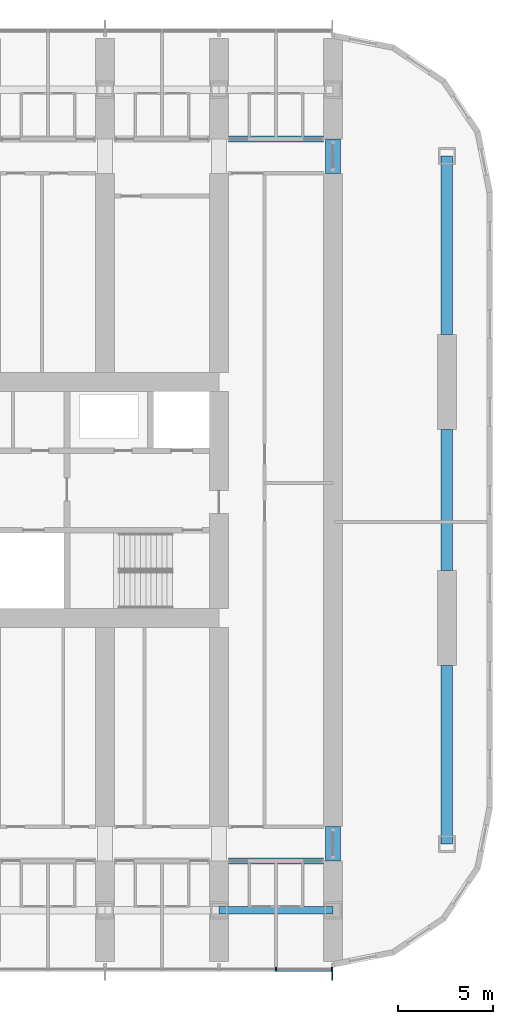
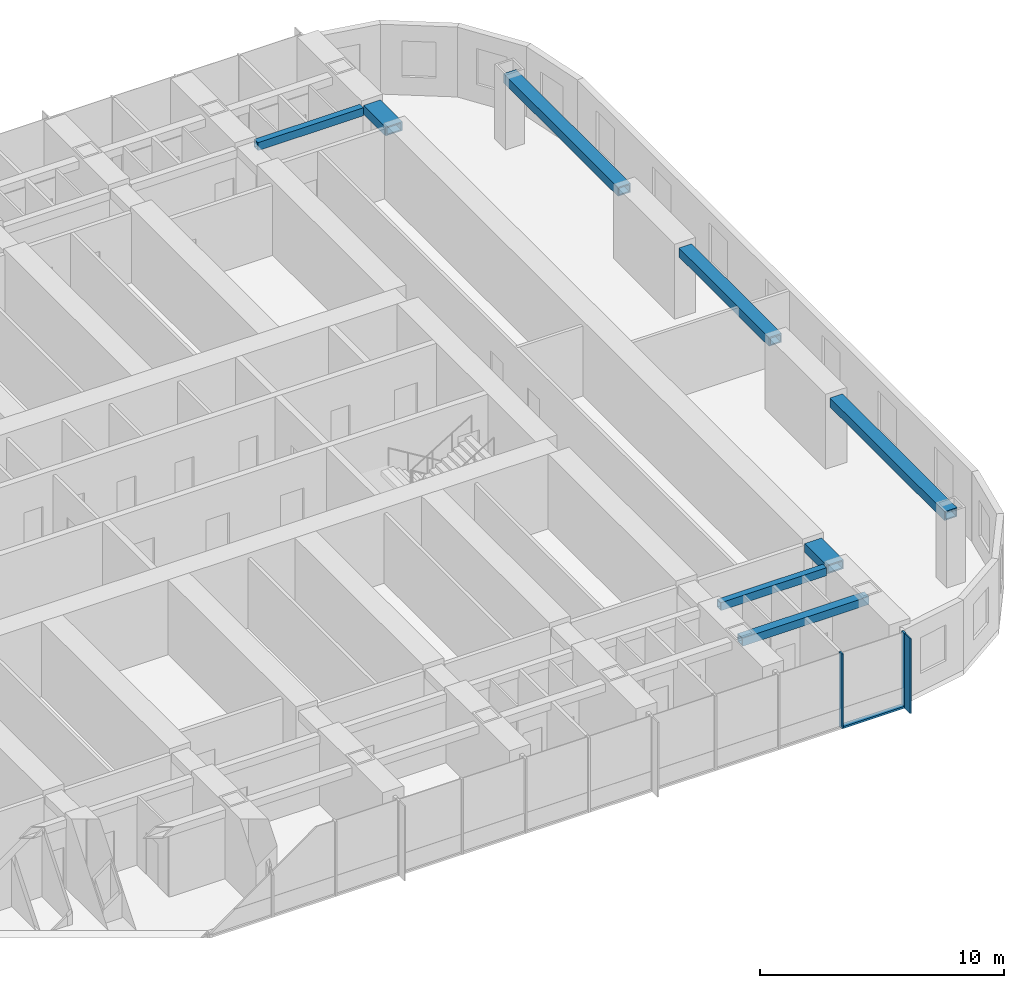
# One storey, part 6 of 25: 8 beams, 4 members, 1 element without a shape of its own.
"""IFC4 building model written with IfcOpenShell, lengths in metres."""

from ifc_helpers import new_model, si_unit, direction, frame, origin, origin_2d, place, context, subcontext, project, spatial, rectangle, hollow_rectangle, extrude, material, material_profile, profile_set, type_object, element, aggregate, save


model = new_model("IFC4")

# Units and contexts
model_context = context("Model", 3, precision=1e-05, world=origin(), true_north=direction((0.0, 1.0)))
body_context = subcontext(model_context, "Body", "Model", "MODEL_VIEW")
ifc_project = project(units=[si_unit("LENGTHUNIT", "METRE"), si_unit("AREAUNIT", "SQUARE_METRE"), si_unit("VOLUMEUNIT", "CUBIC_METRE"), si_unit("PLANEANGLEUNIT", "RADIAN"), si_unit("MASSUNIT", "GRAM", prefix="KILO")], contexts=[model_context])

# Site, building, storey
site_placement = place(None, origin())
site = spatial("IfcSite", under=ifc_project, at=site_placement, CompositionType="ELEMENT")
building_placement = place(site_placement, origin())
building = spatial("IfcBuilding", under=site, at=building_placement, Name="Orbita Commons", CompositionType="ELEMENT")
storey_placement = place(building_placement, frame((0.0, 0.0, 31.449951171875)))
storey = spatial("IfcBuildingStorey", under=building, at=storey_placement, Name="L07", CompositionType="ELEMENT", Elevation=31.449951171875)

# Curtain wall, members
ifc_material_1 = material(Name="Anodised aluminium frame, pale silver", Category="aluminium")
curtain_wall_type = type_object("IfcCurtainWallType", Name="Unitised curtain wall CW-T, vision and spandrel", PredefinedType="NOTDEFINED", material=ifc_material_1)
curtain_wall_placement = place(storey_placement, origin())
curtain_wall = element("IfcCurtainWall", 1, at=curtain_wall_placement, inside=storey, type_object=curtain_wall_type, Name="Curtain wall south L07", PredefinedType="NOTDEFINED")
ifc_material_2 = material(Name="Anodised aluminium, pale silver", Category="aluminium")
ifc_material_profile_1 = material_profile(ifc_material_2, rectangle(XDim=0.080078125, YDim=0.219970703125, at=origin_2d()), Name="AL 80x220")
ifc_profile_set_1 = profile_set([ifc_material_profile_1], Name="Anodised aluminium, pale silver")
member_type_1 = type_object("IfcMemberType", Name="Curtain wall mullion 80x220", PredefinedType="MULLION", material=ifc_profile_set_1)
member_1_placement = place(storey_placement, frame((69.0, 7.2900390625, -0.25), z_axis=(0.0, 0.0, 1.0), x_axis=(1.0, 0.0, 0.0)))
member_1 = element("IfcMember", 2, at=member_1_placement, type_object=member_type_1, Name="Mullion 20 CW-L07-S", PredefinedType="MULLION", context=body_context, shape_type="SweptSolid", body=[
    extrude(rectangle(XDim=0.080078125, YDim=0.219970703125, at=origin_2d()), origin(), (0.0, 0.0, 1.0), 3.75),
])
member_2_placement = place(storey_placement, frame((71.9599609375, 7.2900390625, -0.25), z_axis=(0.0, 0.0, 1.0), x_axis=(1.0, 0.0, 0.0)))
member_2 = element("IfcMember", 3, at=member_2_placement, type_object=member_type_1, Name="Mullion 21 CW-L07-S", PredefinedType="MULLION", context=body_context, shape_type="SweptSolid", body=[
    extrude(rectangle(XDim=0.080078125, YDim=0.219970703125, at=origin_2d()), origin(), (0.0, 0.0, 1.0), 3.75),
])
ifc_material_3 = material(Name="Anodised aluminium, pale silver", Category="aluminium")
ifc_material_profile_2 = material_profile(ifc_material_3, rectangle(XDim=0.219970703125, YDim=0.10009765625, at=origin_2d()), Name="AL 220x100")
ifc_profile_set_2 = profile_set([ifc_material_profile_2], Name="Anodised aluminium, pale silver")
member_type_2 = type_object("IfcMemberType", Name="Curtain wall stack transom 220x100", PredefinedType="USERDEFINED", material=ifc_profile_set_2)
member_3_placement = place(storey_placement, frame((69.0400390625, 7.2900390625, -0.199951171875), z_axis=(1.0, 0.0, 0.0), x_axis=(0.0, 1.0, 0.0)))
member_3 = element("IfcMember", 4, at=member_3_placement, type_object=member_type_2, Name="Transom 20.1 CW-L07-S", ObjectType="TRANSOM", PredefinedType="USERDEFINED", context=body_context, shape_type="SweptSolid", body=[
    extrude(rectangle(XDim=0.219970703125, YDim=0.10009765625, at=origin_2d()), origin(), (0.0, 0.0, 1.0), 2.8798828125),
])

# Beams
ifc_material_4 = material(Name="Steel ASTM A572 Gr 50 welded plate", Category="steel")
ifc_material_profile_3 = material_profile(ifc_material_4, hollow_rectangle(XDim=0.300048828125, YDim=0.39990234375, WallThickness=0.0400390625, at=origin_2d()), Name="BOX 400x300x40")
ifc_profile_set_3 = profile_set([ifc_material_profile_3], Name="Steel ASTM A572 Gr 50 welded plate")
beam_type_1 = type_object("IfcBeamType", Name="Steel corridor link BOX 400x300x40", PredefinedType="BEAM", material=ifc_profile_set_3)
for number, where, z_axis, x_axis, name in (
    (5, (66.5, 13.0, 3.300048828125), (1.0, 0.0, 0.0), (0.0, 1.0, 0.0), "Corridor beam SA 12-13 L07"),
    (6, (66.5, 51.0, 3.300048828125), (1.0, 0.0, 0.0), (0.0, 1.0, 0.0), "Corridor beam NB 12-13 L07"),
):
    element("IfcBeam", number, at=place(storey_placement, frame(where, z_axis=z_axis, x_axis=x_axis)), inside=storey, type_object=beam_type_1, Name=name, PredefinedType="BEAM", context=body_context, shape_type="SweptSolid", body=[
        extrude(hollow_rectangle(XDim=0.300048828125, YDim=0.39990234375, WallThickness=0.0400390625, at=origin_2d()), origin(), (0.0, 0.0, 1.0), 5.0),
    ])
ifc_material_5 = material(Name="Steel ASTM A572 Gr 50 welded plate", Category="steel")
ifc_material_profile_4 = material_profile(ifc_material_5, hollow_rectangle(XDim=0.800048828125, YDim=0.449951171875, WallThickness=0.06005859375, at=origin_2d()), Name="BOX 450x800x60")
ifc_profile_set_4 = profile_set([ifc_material_profile_4], Name="Steel ASTM A572 Gr 50 welded plate")
beam_type_2 = type_object("IfcBeamType", Name="Steel coupling link BOX 450x800x60", PredefinedType="LINTEL", material=ifc_profile_set_4)
for number, where, z_axis, x_axis, name in (
    (7, (72.0, 13.0, 3.275146484375), (0.0, 1.0, 0.0), (-1.0, 0.0, 0.0), "Coupling beam 13 south L07"),
    (8, (72.0, 49.199951171875, 3.275146484375), (0.0, 1.0, 0.0), (-1.0, 0.0, 0.0), "Coupling beam 13 north L07"),
):
    element("IfcBeam", number, at=place(storey_placement, frame(where, z_axis=z_axis, x_axis=x_axis)), inside=storey, type_object=beam_type_2, Name=name, PredefinedType="LINTEL", context=body_context, shape_type="SweptSolid", body=[
        extrude(hollow_rectangle(XDim=0.800048828125, YDim=0.449951171875, WallThickness=0.06005859375, at=origin_2d()), origin(), (0.0, 0.0, 1.0), 1.800048828125),
    ])
ifc_material_6 = material(Name="Steel ASTM A572 Gr 50 welded plate", Category="steel")
ifc_material_profile_5 = material_profile(ifc_material_6, hollow_rectangle(XDim=0.60009765625, YDim=0.449951171875, WallThickness=0.06005859375, at=origin_2d()), Name="BOX 450x600x60")
ifc_profile_set_5 = profile_set([ifc_material_profile_5], Name="Steel ASTM A572 Gr 50 welded plate")
beam_type_3 = type_object("IfcBeamType", Name="Steel end frame link BOX 450x600x60", PredefinedType="BEAM", material=ifc_profile_set_5)
beam_1_placement = place(storey_placement, frame((78.0, 13.89990234375, 3.275146484375), z_axis=(0.0, 1.0, 0.0), x_axis=(-1.0, 0.0, 0.0)))
element("IfcBeam", 9, at=beam_1_placement, inside=storey, type_object=beam_type_3, Name="End frame beam 14 B-C L07", PredefinedType="BEAM", context=body_context, shape_type="SweptSolid", body=[
    extrude(hollow_rectangle(XDim=0.60009765625, YDim=0.449951171875, WallThickness=0.06005859375, at=origin_2d()), origin(), (0.0, 0.0, 1.0), 9.400146484375),
])
beam_2_placement = place(storey_placement, frame((78.0, 28.300048828125, 3.275146484375), z_axis=(0.0, 1.0, 0.0), x_axis=(-1.0, 0.0, 0.0)))
element("IfcBeam", 10, at=beam_2_placement, inside=storey, type_object=beam_type_3, Name="End frame beam 14 C-D L07", PredefinedType="BEAM", context=body_context, shape_type="SweptSolid", body=[
    extrude(hollow_rectangle(XDim=0.60009765625, YDim=0.449951171875, WallThickness=0.06005859375, at=origin_2d()), origin(), (0.0, 0.0, 1.0), 7.39990234375),
])
beam_3_placement = place(storey_placement, frame((78.0, 40.699951171875, 3.275146484375), z_axis=(0.0, 1.0, 0.0), x_axis=(-1.0, 0.0, 0.0)))
element("IfcBeam", 11, at=beam_3_placement, inside=storey, type_object=beam_type_3, Name="End frame beam 14 D-E L07", PredefinedType="BEAM", context=body_context, shape_type="SweptSolid", body=[
    extrude(hollow_rectangle(XDim=0.60009765625, YDim=0.449951171875, WallThickness=0.06005859375, at=origin_2d()), origin(), (0.0, 0.0, 1.0), 9.400146484375),
])
ifc_material_7 = material(Name="Steel ASTM A572 Gr 50 welded plate", Category="steel")
ifc_material_profile_6 = material_profile(ifc_material_7, hollow_rectangle(XDim=0.39990234375, YDim=0.39990234375, WallThickness=0.0400390625, at=origin_2d()), Name="BOX 400x400x40")
ifc_profile_set_6 = profile_set([ifc_material_profile_6], Name="Steel ASTM A572 Gr 50 welded plate")
beam_type_4 = type_object("IfcBeamType", Name="Steel spandrel BOX 400x400x40", PredefinedType="SPANDREL", material=ifc_profile_set_6)
beam_4_placement = place(storey_placement, frame((66.0, 10.39990234375, 3.300048828125), z_axis=(1.0, 0.0, 0.0), x_axis=(0.0, 1.0, 0.0)))
element("IfcBeam", 12, at=beam_4_placement, inside=storey, type_object=beam_type_4, Name="Spandrel beam B 12-13 L07", PredefinedType="SPANDREL", context=body_context, shape_type="SweptSolid", body=[
    extrude(hollow_rectangle(XDim=0.39990234375, YDim=0.39990234375, WallThickness=0.0400390625, at=origin_2d()), origin(), (0.0, 0.0, 1.0), 6.0),
])

# Member
ifc_material_8 = material(Name="Anodised aluminium, pale silver", Category="aluminium")
ifc_material_profile_7 = material_profile(ifc_material_8, rectangle(XDim=0.06005859375, YDim=0.449951171875, at=origin_2d()), Name="FIN 60x450")
ifc_profile_set_7 = profile_set([ifc_material_profile_7], Name="Anodised aluminium, pale silver")
member_type_3 = type_object("IfcMemberType", Name="Vertical fin 60x450 pale aluminium", PredefinedType="USERDEFINED", material=ifc_profile_set_7)
member_4_placement = place(storey_placement, frame((71.9599609375, 6.955078125, -0.25), z_axis=(0.0, 0.0, 1.0), x_axis=(1.0, 0.0, 0.0)))
member_4 = element("IfcMember", 13, at=member_4_placement, type_object=member_type_3, Name="Fin 21 CW-L07-S", ObjectType="FIN", PredefinedType="USERDEFINED", context=body_context, shape_type="SweptSolid", body=[
    extrude(rectangle(XDim=0.06005859375, YDim=0.449951171875, at=origin_2d()), origin(), (0.0, 0.0, 1.0), 3.75),
])

aggregate(curtain_wall, [member_1, member_2, member_4, member_3])

save(model, "model.ifc")
